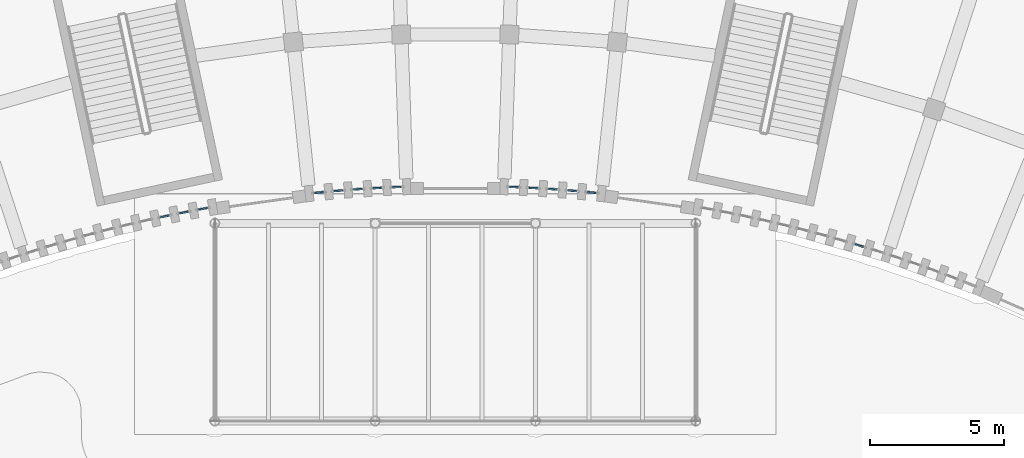
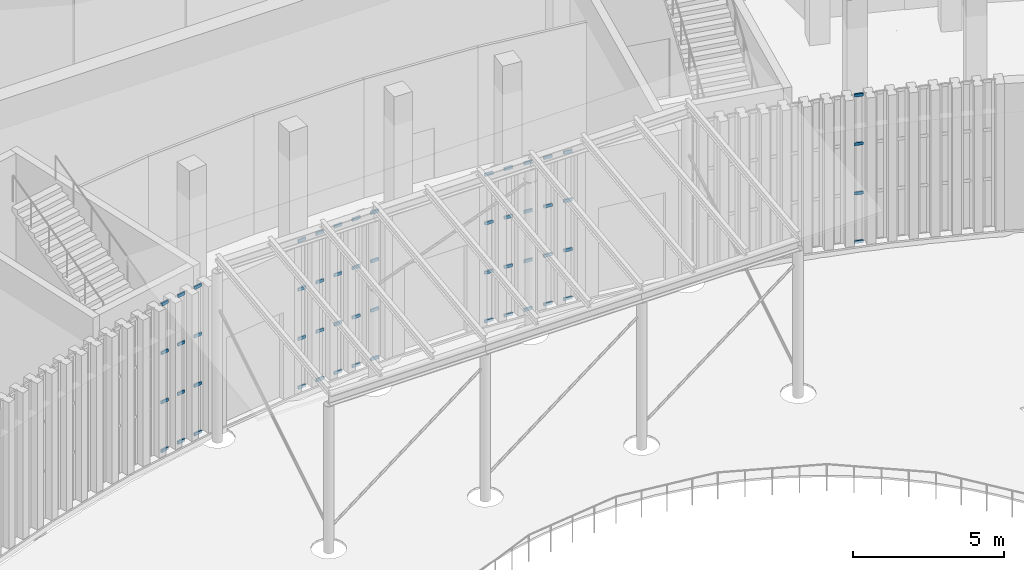
# One storey, part 67 of 155: 56 members, 14 elements without a shape of their own.
"""IFC4 building model written with IfcOpenShell, lengths in metres."""

from ifc_helpers import new_model, si_unit, direction, frame, origin, origin_2d, place, context, subcontext, project, spatial, rectangle, extrude, material, layer, layer_set, material_profile, profile_set, type_object, element, aggregate, save


model = new_model("IFC4")

# Units and contexts
model_context = context("Model", 3, precision=1e-05, world=origin(), true_north=direction((0.0, 1.0)))
body_context = subcontext(model_context, "Body", "Model", "MODEL_VIEW")
ifc_project = project(units=[si_unit("LENGTHUNIT", "METRE"), si_unit("AREAUNIT", "SQUARE_METRE"), si_unit("VOLUMEUNIT", "CUBIC_METRE"), si_unit("PLANEANGLEUNIT", "RADIAN"), si_unit("MASSUNIT", "GRAM", prefix="KILO")], contexts=[model_context])

# Site, building, storey
site_placement = place(None, origin())
site = spatial("IfcSite", under=ifc_project, at=site_placement, CompositionType="ELEMENT")
building_placement = place(site_placement, origin())
building = spatial("IfcBuilding", under=site, at=building_placement, Name="Lunette Opera House", CompositionType="ELEMENT")
storey_placement = place(building_placement, origin())
storey = spatial("IfcBuildingStorey", under=building, at=storey_placement, Name="L00", CompositionType="ELEMENT", Elevation=0.0)

# Curtain wall, members
ifc_material_1 = material(Name="Aluminium", Category="aluminium")
ifc_layer = layer(ifc_material_1, 0.1201171875)
ifc_layer_set = layer_set([ifc_layer], Name="Aluminium")
curtain_wall_type = type_object("IfcCurtainWallType", Name="SLOT CURTAIN WALL", PredefinedType="NOTDEFINED", material=ifc_layer_set)
curtain_wall_1_placement = place(storey_placement, origin())
curtain_wall_1 = element("IfcCurtainWall", 1, at=curtain_wall_1_placement, inside=storey, type_object=curtain_wall_type, Name="Slot Curtain Wall CS033 L00", PredefinedType="NOTDEFINED")
ifc_material_2 = material(Name="Aluminium", Category="aluminium")
ifc_material_profile = material_profile(ifc_material_2, rectangle(XDim=0.06005859375, YDim=0.1201171875, at=origin_2d()), Name="TRANSOM 60 X 120")
ifc_profile_set = profile_set([ifc_material_profile], Name="Aluminium")
member_type = type_object("IfcMemberType", Name="TRANSOM 60 X 120", PredefinedType="USERDEFINED", material=ifc_profile_set)
member_1_placement = place(storey_placement, frame((84.974609375, 51.12451171875, 0.030029296875), z_axis=(0.978533089952, 0.206089766533, 0.0), x_axis=(-0.206089766533, 0.978533089952, 0.0)))
member_1 = element("IfcMember", 2, at=member_1_placement, type_object=member_type, Name="FC-X2065 transom 1.1", ObjectType="TRANSOM", PredefinedType="USERDEFINED", context=body_context, shape_type="SweptSolid", body=[
    extrude(rectangle(XDim=0.06005859375, YDim=0.1201171875, at=origin_2d()), origin(), (0.0, 0.0, 1.0), 0.310302734375),
])
member_2_placement = place(storey_placement, frame((84.974609375, 51.12451171875, 2.0), z_axis=(0.978533089952, 0.206089766533, 0.0), x_axis=(-0.206089766533, 0.978533089952, 0.0)))
member_2 = element("IfcMember", 3, at=member_2_placement, type_object=member_type, Name="FC-X2065 transom 1.2", ObjectType="TRANSOM", PredefinedType="USERDEFINED", context=body_context, shape_type="SweptSolid", body=[
    extrude(rectangle(XDim=0.06005859375, YDim=0.1201171875, at=origin_2d()), origin(), (0.0, 0.0, 1.0), 0.310302734375),
])
member_3_placement = place(storey_placement, frame((84.974609375, 51.12451171875, 4.0), z_axis=(0.978533089952, 0.206089766533, 0.0), x_axis=(-0.206089766533, 0.978533089952, 0.0)))
member_3 = element("IfcMember", 4, at=member_3_placement, type_object=member_type, Name="FC-X2065 transom 1.3", ObjectType="TRANSOM", PredefinedType="USERDEFINED", context=body_context, shape_type="SweptSolid", body=[
    extrude(rectangle(XDim=0.06005859375, YDim=0.1201171875, at=origin_2d()), origin(), (0.0, 0.0, 1.0), 0.310302734375),
])
member_4_placement = place(storey_placement, frame((84.974609375, 51.12451171875, 5.969970703125), z_axis=(0.978533089952, 0.206089766533, 0.0), x_axis=(-0.206089766533, 0.978533089952, 0.0)))
member_4 = element("IfcMember", 5, at=member_4_placement, type_object=member_type, Name="FC-X2065 transom 1.4", ObjectType="TRANSOM", PredefinedType="USERDEFINED", context=body_context, shape_type="SweptSolid", body=[
    extrude(rectangle(XDim=0.06005859375, YDim=0.1201171875, at=origin_2d()), origin(), (0.0, 0.0, 1.0), 0.310302734375),
])
aggregate(curtain_wall_1, [member_1, member_2, member_3, member_4])

curtain_wall_2_placement = place(storey_placement, origin())
curtain_wall_2 = element("IfcCurtainWall", 6, at=curtain_wall_2_placement, inside=storey, type_object=curtain_wall_type, Name="Slot Curtain Wall CS034 L00", PredefinedType="NOTDEFINED")
member_5_placement = place(storey_placement, frame((85.68994140625, 51.273681640625, 0.030029296875), z_axis=(0.981211567536, 0.192934858785, 0.0), x_axis=(-0.192934858785, 0.981211567536, 0.0)))
member_5 = element("IfcMember", 7, at=member_5_placement, type_object=member_type, Name="FC-X2067 transom 1.1", ObjectType="TRANSOM", PredefinedType="USERDEFINED", context=body_context, shape_type="SweptSolid", body=[
    extrude(rectangle(XDim=0.06005859375, YDim=0.1201171875, at=origin_2d()), origin(), (0.0, 0.0, 1.0), 0.31005859375),
])
member_6_placement = place(storey_placement, frame((85.68994140625, 51.273681640625, 2.0), z_axis=(0.981211567536, 0.192934858785, 0.0), x_axis=(-0.192934858785, 0.981211567536, 0.0)))
member_6 = element("IfcMember", 8, at=member_6_placement, type_object=member_type, Name="FC-X2067 transom 1.2", ObjectType="TRANSOM", PredefinedType="USERDEFINED", context=body_context, shape_type="SweptSolid", body=[
    extrude(rectangle(XDim=0.06005859375, YDim=0.1201171875, at=origin_2d()), origin(), (0.0, 0.0, 1.0), 0.31005859375),
])
member_7_placement = place(storey_placement, frame((85.68994140625, 51.273681640625, 4.0), z_axis=(0.981211567536, 0.192934858785, 0.0), x_axis=(-0.192934858785, 0.981211567536, 0.0)))
member_7 = element("IfcMember", 9, at=member_7_placement, type_object=member_type, Name="FC-X2067 transom 1.3", ObjectType="TRANSOM", PredefinedType="USERDEFINED", context=body_context, shape_type="SweptSolid", body=[
    extrude(rectangle(XDim=0.06005859375, YDim=0.1201171875, at=origin_2d()), origin(), (0.0, 0.0, 1.0), 0.31005859375),
])
member_8_placement = place(storey_placement, frame((85.68994140625, 51.273681640625, 5.969970703125), z_axis=(0.981211567536, 0.192934858785, 0.0), x_axis=(-0.192934858785, 0.981211567536, 0.0)))
member_8 = element("IfcMember", 10, at=member_8_placement, type_object=member_type, Name="FC-X2067 transom 1.4", ObjectType="TRANSOM", PredefinedType="USERDEFINED", context=body_context, shape_type="SweptSolid", body=[
    extrude(rectangle(XDim=0.06005859375, YDim=0.1201171875, at=origin_2d()), origin(), (0.0, 0.0, 1.0), 0.31005859375),
])
aggregate(curtain_wall_2, [member_5, member_6, member_7, member_8])

curtain_wall_3_placement = place(storey_placement, origin())
curtain_wall_3 = element("IfcCurtainWall", 11, at=curtain_wall_3_placement, inside=storey, type_object=curtain_wall_type, Name="Slot Curtain Wall CS035 L00", PredefinedType="NOTDEFINED")
member_9_placement = place(storey_placement, frame((86.406005859375, 51.412841796875, 0.030029296875), z_axis=(0.983982796931, 0.178263443658, 0.0), x_axis=(-0.178263443658, 0.983982796931, 0.0)))
member_9 = element("IfcMember", 12, at=member_9_placement, type_object=member_type, Name="FC-X2069 transom 1.1", ObjectType="TRANSOM", PredefinedType="USERDEFINED", context=body_context, shape_type="SweptSolid", body=[
    extrude(rectangle(XDim=0.06005859375, YDim=0.1201171875, at=origin_2d()), origin(), (0.0, 0.0, 1.0), 0.310791015625),
])
member_10_placement = place(storey_placement, frame((86.406005859375, 51.412841796875, 2.0), z_axis=(0.983982796931, 0.178263443658, 0.0), x_axis=(-0.178263443658, 0.983982796931, 0.0)))
member_10 = element("IfcMember", 13, at=member_10_placement, type_object=member_type, Name="FC-X2069 transom 1.2", ObjectType="TRANSOM", PredefinedType="USERDEFINED", context=body_context, shape_type="SweptSolid", body=[
    extrude(rectangle(XDim=0.06005859375, YDim=0.1201171875, at=origin_2d()), origin(), (0.0, 0.0, 1.0), 0.310791015625),
])
member_11_placement = place(storey_placement, frame((86.406005859375, 51.412841796875, 4.0), z_axis=(0.983982796931, 0.178263443658, 0.0), x_axis=(-0.178263443658, 0.983982796931, 0.0)))
member_11 = element("IfcMember", 14, at=member_11_placement, type_object=member_type, Name="FC-X2069 transom 1.3", ObjectType="TRANSOM", PredefinedType="USERDEFINED", context=body_context, shape_type="SweptSolid", body=[
    extrude(rectangle(XDim=0.06005859375, YDim=0.1201171875, at=origin_2d()), origin(), (0.0, 0.0, 1.0), 0.310791015625),
])
member_12_placement = place(storey_placement, frame((86.406005859375, 51.412841796875, 5.969970703125), z_axis=(0.983982796931, 0.178263443658, 0.0), x_axis=(-0.178263443658, 0.983982796931, 0.0)))
member_12 = element("IfcMember", 15, at=member_12_placement, type_object=member_type, Name="FC-X2069 transom 1.4", ObjectType="TRANSOM", PredefinedType="USERDEFINED", context=body_context, shape_type="SweptSolid", body=[
    extrude(rectangle(XDim=0.06005859375, YDim=0.1201171875, at=origin_2d()), origin(), (0.0, 0.0, 1.0), 0.310791015625),
])
aggregate(curtain_wall_3, [member_9, member_10, member_11, member_12])

curtain_wall_4_placement = place(storey_placement, origin())
curtain_wall_4 = element("IfcCurtainWall", 16, at=curtain_wall_4_placement, inside=storey, type_object=curtain_wall_type, Name="Slot Curtain Wall CS036 L00", PredefinedType="NOTDEFINED")
member_13_placement = place(storey_placement, frame((90.74169921875, 52.034912109375, 0.030029296875), z_axis=(0.995252406868, 0.097327522438, 0.0), x_axis=(-0.097327522438, 0.995252406868, 0.0)))
member_13 = element("IfcMember", 17, at=member_13_placement, type_object=member_type, Name="FC-X2071 transom 1.1", ObjectType="TRANSOM", PredefinedType="USERDEFINED", context=body_context, shape_type="SweptSolid", body=[
    extrude(rectangle(XDim=0.06005859375, YDim=0.1201171875, at=origin_2d()), origin(), (0.0, 0.0, 1.0), 0.31103515625),
])
member_14_placement = place(storey_placement, frame((90.74169921875, 52.034912109375, 2.0), z_axis=(0.995252406868, 0.097327522438, 0.0), x_axis=(-0.097327522438, 0.995252406868, 0.0)))
member_14 = element("IfcMember", 18, at=member_14_placement, type_object=member_type, Name="FC-X2071 transom 1.2", ObjectType="TRANSOM", PredefinedType="USERDEFINED", context=body_context, shape_type="SweptSolid", body=[
    extrude(rectangle(XDim=0.06005859375, YDim=0.1201171875, at=origin_2d()), origin(), (0.0, 0.0, 1.0), 0.31103515625),
])
member_15_placement = place(storey_placement, frame((90.74169921875, 52.034912109375, 4.0), z_axis=(0.995252406868, 0.097327522438, 0.0), x_axis=(-0.097327522438, 0.995252406868, 0.0)))
member_15 = element("IfcMember", 19, at=member_15_placement, type_object=member_type, Name="FC-X2071 transom 1.3", ObjectType="TRANSOM", PredefinedType="USERDEFINED", context=body_context, shape_type="SweptSolid", body=[
    extrude(rectangle(XDim=0.06005859375, YDim=0.1201171875, at=origin_2d()), origin(), (0.0, 0.0, 1.0), 0.31103515625),
])
member_16_placement = place(storey_placement, frame((90.74169921875, 52.034912109375, 5.969970703125), z_axis=(0.995252406868, 0.097327522438, 0.0), x_axis=(-0.097327522438, 0.995252406868, 0.0)))
member_16 = element("IfcMember", 20, at=member_16_placement, type_object=member_type, Name="FC-X2071 transom 1.4", ObjectType="TRANSOM", PredefinedType="USERDEFINED", context=body_context, shape_type="SweptSolid", body=[
    extrude(rectangle(XDim=0.06005859375, YDim=0.1201171875, at=origin_2d()), origin(), (0.0, 0.0, 1.0), 0.31103515625),
])
aggregate(curtain_wall_4, [member_13, member_14, member_15, member_16])

curtain_wall_5_placement = place(storey_placement, origin())
curtain_wall_5 = element("IfcCurtainWall", 21, at=curtain_wall_5_placement, inside=storey, type_object=curtain_wall_type, Name="Slot Curtain Wall CS037 L00", PredefinedType="NOTDEFINED")
member_17_placement = place(storey_placement, frame((91.46875, 52.10302734375, 0.030029296875), z_axis=(0.996524044224, 0.083305637766, 0.0), x_axis=(-0.083305637766, 0.996524044224, 0.0)))
member_17 = element("IfcMember", 22, at=member_17_placement, type_object=member_type, Name="FC-X2073 transom 1.1", ObjectType="TRANSOM", PredefinedType="USERDEFINED", context=body_context, shape_type="SweptSolid", body=[
    extrude(rectangle(XDim=0.06005859375, YDim=0.1201171875, at=origin_2d()), origin(), (0.0, 0.0, 1.0), 0.310546875),
])
member_18_placement = place(storey_placement, frame((91.46875, 52.10302734375, 2.0), z_axis=(0.996524044224, 0.083305637766, 0.0), x_axis=(-0.083305637766, 0.996524044224, 0.0)))
member_18 = element("IfcMember", 23, at=member_18_placement, type_object=member_type, Name="FC-X2073 transom 1.2", ObjectType="TRANSOM", PredefinedType="USERDEFINED", context=body_context, shape_type="SweptSolid", body=[
    extrude(rectangle(XDim=0.06005859375, YDim=0.1201171875, at=origin_2d()), origin(), (0.0, 0.0, 1.0), 0.310546875),
])
member_19_placement = place(storey_placement, frame((91.46875, 52.10302734375, 4.0), z_axis=(0.996524044224, 0.083305637766, 0.0), x_axis=(-0.083305637766, 0.996524044224, 0.0)))
member_19 = element("IfcMember", 24, at=member_19_placement, type_object=member_type, Name="FC-X2073 transom 1.3", ObjectType="TRANSOM", PredefinedType="USERDEFINED", context=body_context, shape_type="SweptSolid", body=[
    extrude(rectangle(XDim=0.06005859375, YDim=0.1201171875, at=origin_2d()), origin(), (0.0, 0.0, 1.0), 0.310546875),
])
member_20_placement = place(storey_placement, frame((91.46875, 52.10302734375, 5.969970703125), z_axis=(0.996524044224, 0.083305637766, 0.0), x_axis=(-0.083305637766, 0.996524044224, 0.0)))
member_20 = element("IfcMember", 25, at=member_20_placement, type_object=member_type, Name="FC-X2073 transom 1.4", ObjectType="TRANSOM", PredefinedType="USERDEFINED", context=body_context, shape_type="SweptSolid", body=[
    extrude(rectangle(XDim=0.06005859375, YDim=0.1201171875, at=origin_2d()), origin(), (0.0, 0.0, 1.0), 0.310546875),
])
aggregate(curtain_wall_5, [member_17, member_18, member_19, member_20])

curtain_wall_6_placement = place(storey_placement, origin())
curtain_wall_6 = element("IfcCurtainWall", 26, at=curtain_wall_6_placement, inside=storey, type_object=curtain_wall_type, Name="Slot Curtain Wall CS038 L00", PredefinedType="NOTDEFINED")
member_21_placement = place(storey_placement, frame((92.19677734375, 52.1611328125, 0.030029296875), z_axis=(0.99754193591, 0.070072006548, 0.0), x_axis=(-0.070072006548, 0.99754193591, 0.0)))
member_21 = element("IfcMember", 27, at=member_21_placement, type_object=member_type, Name="FC-X2075 transom 1.1", ObjectType="TRANSOM", PredefinedType="USERDEFINED", context=body_context, shape_type="SweptSolid", body=[
    extrude(rectangle(XDim=0.06005859375, YDim=0.1201171875, at=origin_2d()), origin(), (0.0, 0.0, 1.0), 0.31005859375),
])
member_22_placement = place(storey_placement, frame((92.19677734375, 52.1611328125, 2.0), z_axis=(0.99754193591, 0.070072006548, 0.0), x_axis=(-0.070072006548, 0.99754193591, 0.0)))
member_22 = element("IfcMember", 28, at=member_22_placement, type_object=member_type, Name="FC-X2075 transom 1.2", ObjectType="TRANSOM", PredefinedType="USERDEFINED", context=body_context, shape_type="SweptSolid", body=[
    extrude(rectangle(XDim=0.06005859375, YDim=0.1201171875, at=origin_2d()), origin(), (0.0, 0.0, 1.0), 0.31005859375),
])
member_23_placement = place(storey_placement, frame((92.19677734375, 52.1611328125, 4.0), z_axis=(0.99754193591, 0.070072006548, 0.0), x_axis=(-0.070072006548, 0.99754193591, 0.0)))
member_23 = element("IfcMember", 29, at=member_23_placement, type_object=member_type, Name="FC-X2075 transom 1.3", ObjectType="TRANSOM", PredefinedType="USERDEFINED", context=body_context, shape_type="SweptSolid", body=[
    extrude(rectangle(XDim=0.06005859375, YDim=0.1201171875, at=origin_2d()), origin(), (0.0, 0.0, 1.0), 0.31005859375),
])
member_24_placement = place(storey_placement, frame((92.19677734375, 52.1611328125, 5.969970703125), z_axis=(0.99754193591, 0.070072006548, 0.0), x_axis=(-0.070072006548, 0.99754193591, 0.0)))
member_24 = element("IfcMember", 30, at=member_24_placement, type_object=member_type, Name="FC-X2075 transom 1.4", ObjectType="TRANSOM", PredefinedType="USERDEFINED", context=body_context, shape_type="SweptSolid", body=[
    extrude(rectangle(XDim=0.06005859375, YDim=0.1201171875, at=origin_2d()), origin(), (0.0, 0.0, 1.0), 0.31005859375),
])
aggregate(curtain_wall_6, [member_21, member_22, member_23, member_24])

curtain_wall_7_placement = place(storey_placement, origin())
curtain_wall_7 = element("IfcCurtainWall", 31, at=curtain_wall_7_placement, inside=storey, type_object=curtain_wall_type, Name="Slot Curtain Wall CS039 L00", PredefinedType="NOTDEFINED")
member_25_placement = place(storey_placement, frame((92.926025390625, 52.20947265625, 0.030029296875), z_axis=(0.998474879142, 0.055207931706, 0.0), x_axis=(-0.055207931706, 0.998474879142, 0.0)))
member_25 = element("IfcMember", 32, at=member_25_placement, type_object=member_type, Name="FC-X2077 transom 1.1", ObjectType="TRANSOM", PredefinedType="USERDEFINED", context=body_context, shape_type="SweptSolid", body=[
    extrude(rectangle(XDim=0.06005859375, YDim=0.1201171875, at=origin_2d()), origin(), (0.0, 0.0, 1.0), 0.3095703125),
])
member_26_placement = place(storey_placement, frame((92.926025390625, 52.20947265625, 2.0), z_axis=(0.998474879142, 0.055207931706, 0.0), x_axis=(-0.055207931706, 0.998474879142, 0.0)))
member_26 = element("IfcMember", 33, at=member_26_placement, type_object=member_type, Name="FC-X2077 transom 1.2", ObjectType="TRANSOM", PredefinedType="USERDEFINED", context=body_context, shape_type="SweptSolid", body=[
    extrude(rectangle(XDim=0.06005859375, YDim=0.1201171875, at=origin_2d()), origin(), (0.0, 0.0, 1.0), 0.3095703125),
])
member_27_placement = place(storey_placement, frame((92.926025390625, 52.20947265625, 4.0), z_axis=(0.998474879142, 0.055207931706, 0.0), x_axis=(-0.055207931706, 0.998474879142, 0.0)))
member_27 = element("IfcMember", 34, at=member_27_placement, type_object=member_type, Name="FC-X2077 transom 1.3", ObjectType="TRANSOM", PredefinedType="USERDEFINED", context=body_context, shape_type="SweptSolid", body=[
    extrude(rectangle(XDim=0.06005859375, YDim=0.1201171875, at=origin_2d()), origin(), (0.0, 0.0, 1.0), 0.3095703125),
])
member_28_placement = place(storey_placement, frame((92.926025390625, 52.20947265625, 5.969970703125), z_axis=(0.998474879142, 0.055207931706, 0.0), x_axis=(-0.055207931706, 0.998474879142, 0.0)))
member_28 = element("IfcMember", 35, at=member_28_placement, type_object=member_type, Name="FC-X2077 transom 1.4", ObjectType="TRANSOM", PredefinedType="USERDEFINED", context=body_context, shape_type="SweptSolid", body=[
    extrude(rectangle(XDim=0.06005859375, YDim=0.1201171875, at=origin_2d()), origin(), (0.0, 0.0, 1.0), 0.3095703125),
])
aggregate(curtain_wall_7, [member_25, member_26, member_27, member_28])

curtain_wall_8_placement = place(storey_placement, origin())
curtain_wall_8 = element("IfcCurtainWall", 36, at=curtain_wall_8_placement, inside=storey, type_object=curtain_wall_type, Name="Slot Curtain Wall CS040 L00", PredefinedType="NOTDEFINED")
member_29_placement = place(storey_placement, frame((93.655029296875, 52.24755859375, 0.030029296875), z_axis=(0.999130344028, 0.041695990735, 0.0), x_axis=(-0.041695990735, 0.999130344028, 0.0)))
member_29 = element("IfcMember", 37, at=member_29_placement, type_object=member_type, Name="FC-X2079 transom 1.1", ObjectType="TRANSOM", PredefinedType="USERDEFINED", context=body_context, shape_type="SweptSolid", body=[
    extrude(rectangle(XDim=0.06005859375, YDim=0.1201171875, at=origin_2d()), origin(), (0.0, 0.0, 1.0), 0.310302734375),
])
member_30_placement = place(storey_placement, frame((93.655029296875, 52.24755859375, 2.0), z_axis=(0.999130344028, 0.041695990735, 0.0), x_axis=(-0.041695990735, 0.999130344028, 0.0)))
member_30 = element("IfcMember", 38, at=member_30_placement, type_object=member_type, Name="FC-X2079 transom 1.2", ObjectType="TRANSOM", PredefinedType="USERDEFINED", context=body_context, shape_type="SweptSolid", body=[
    extrude(rectangle(XDim=0.06005859375, YDim=0.1201171875, at=origin_2d()), origin(), (0.0, 0.0, 1.0), 0.310302734375),
])
member_31_placement = place(storey_placement, frame((93.655029296875, 52.24755859375, 4.0), z_axis=(0.999130344028, 0.041695990735, 0.0), x_axis=(-0.041695990735, 0.999130344028, 0.0)))
member_31 = element("IfcMember", 39, at=member_31_placement, type_object=member_type, Name="FC-X2079 transom 1.3", ObjectType="TRANSOM", PredefinedType="USERDEFINED", context=body_context, shape_type="SweptSolid", body=[
    extrude(rectangle(XDim=0.06005859375, YDim=0.1201171875, at=origin_2d()), origin(), (0.0, 0.0, 1.0), 0.310302734375),
])
member_32_placement = place(storey_placement, frame((93.655029296875, 52.24755859375, 5.969970703125), z_axis=(0.999130344028, 0.041695990735, 0.0), x_axis=(-0.041695990735, 0.999130344028, 0.0)))
member_32 = element("IfcMember", 40, at=member_32_placement, type_object=member_type, Name="FC-X2079 transom 1.4", ObjectType="TRANSOM", PredefinedType="USERDEFINED", context=body_context, shape_type="SweptSolid", body=[
    extrude(rectangle(XDim=0.06005859375, YDim=0.1201171875, at=origin_2d()), origin(), (0.0, 0.0, 1.0), 0.310302734375),
])
aggregate(curtain_wall_8, [member_29, member_30, member_31, member_32])

curtain_wall_9_placement = place(storey_placement, origin())
curtain_wall_9 = element("IfcCurtainWall", 41, at=curtain_wall_9_placement, inside=storey, type_object=curtain_wall_type, Name="Slot Curtain Wall CS041 L00", PredefinedType="NOTDEFINED")
member_33_placement = place(storey_placement, frame((98.034912109375, 52.260498046875, 0.030029296875), z_axis=(0.999130344028, -0.041695990735, 0.0), x_axis=(0.041695990735, 0.999130344028, 0.0)))
member_33 = element("IfcMember", 42, at=member_33_placement, type_object=member_type, Name="FC-X2081 transom 1.1", ObjectType="TRANSOM", PredefinedType="USERDEFINED", context=body_context, shape_type="SweptSolid", body=[
    extrude(rectangle(XDim=0.06005859375, YDim=0.1201171875, at=origin_2d()), origin(), (0.0, 0.0, 1.0), 0.310302734375),
])
member_34_placement = place(storey_placement, frame((98.034912109375, 52.260498046875, 2.0), z_axis=(0.999130344028, -0.041695990735, 0.0), x_axis=(0.041695990735, 0.999130344028, 0.0)))
member_34 = element("IfcMember", 43, at=member_34_placement, type_object=member_type, Name="FC-X2081 transom 1.2", ObjectType="TRANSOM", PredefinedType="USERDEFINED", context=body_context, shape_type="SweptSolid", body=[
    extrude(rectangle(XDim=0.06005859375, YDim=0.1201171875, at=origin_2d()), origin(), (0.0, 0.0, 1.0), 0.310302734375),
])
member_35_placement = place(storey_placement, frame((98.034912109375, 52.260498046875, 4.0), z_axis=(0.999130344028, -0.041695990735, 0.0), x_axis=(0.041695990735, 0.999130344028, 0.0)))
member_35 = element("IfcMember", 44, at=member_35_placement, type_object=member_type, Name="FC-X2081 transom 1.3", ObjectType="TRANSOM", PredefinedType="USERDEFINED", context=body_context, shape_type="SweptSolid", body=[
    extrude(rectangle(XDim=0.06005859375, YDim=0.1201171875, at=origin_2d()), origin(), (0.0, 0.0, 1.0), 0.310302734375),
])
member_36_placement = place(storey_placement, frame((98.034912109375, 52.260498046875, 5.969970703125), z_axis=(0.999130344028, -0.041695990735, 0.0), x_axis=(0.041695990735, 0.999130344028, 0.0)))
member_36 = element("IfcMember", 45, at=member_36_placement, type_object=member_type, Name="FC-X2081 transom 1.4", ObjectType="TRANSOM", PredefinedType="USERDEFINED", context=body_context, shape_type="SweptSolid", body=[
    extrude(rectangle(XDim=0.06005859375, YDim=0.1201171875, at=origin_2d()), origin(), (0.0, 0.0, 1.0), 0.310302734375),
])
aggregate(curtain_wall_9, [member_33, member_34, member_35, member_36])

curtain_wall_10_placement = place(storey_placement, origin())
curtain_wall_10 = element("IfcCurtainWall", 46, at=curtain_wall_10_placement, inside=storey, type_object=curtain_wall_type, Name="Slot Curtain Wall CS042 L00", PredefinedType="NOTDEFINED")
member_37_placement = place(storey_placement, frame((98.764892578125, 52.2265625, 0.030029296875), z_axis=(0.998474879142, -0.055207931706, 0.0), x_axis=(0.055207931706, 0.998474879142, 0.0)))
member_37 = element("IfcMember", 47, at=member_37_placement, type_object=member_type, Name="FC-X2083 transom 1.1", ObjectType="TRANSOM", PredefinedType="USERDEFINED", context=body_context, shape_type="SweptSolid", body=[
    extrude(rectangle(XDim=0.06005859375, YDim=0.1201171875, at=origin_2d()), origin(), (0.0, 0.0, 1.0), 0.3095703125),
])
member_38_placement = place(storey_placement, frame((98.764892578125, 52.2265625, 2.0), z_axis=(0.998474879142, -0.055207931706, 0.0), x_axis=(0.055207931706, 0.998474879142, 0.0)))
member_38 = element("IfcMember", 48, at=member_38_placement, type_object=member_type, Name="FC-X2083 transom 1.2", ObjectType="TRANSOM", PredefinedType="USERDEFINED", context=body_context, shape_type="SweptSolid", body=[
    extrude(rectangle(XDim=0.06005859375, YDim=0.1201171875, at=origin_2d()), origin(), (0.0, 0.0, 1.0), 0.3095703125),
])
member_39_placement = place(storey_placement, frame((98.764892578125, 52.2265625, 4.0), z_axis=(0.998474879142, -0.055207931706, 0.0), x_axis=(0.055207931706, 0.998474879142, 0.0)))
member_39 = element("IfcMember", 49, at=member_39_placement, type_object=member_type, Name="FC-X2083 transom 1.3", ObjectType="TRANSOM", PredefinedType="USERDEFINED", context=body_context, shape_type="SweptSolid", body=[
    extrude(rectangle(XDim=0.06005859375, YDim=0.1201171875, at=origin_2d()), origin(), (0.0, 0.0, 1.0), 0.3095703125),
])
member_40_placement = place(storey_placement, frame((98.764892578125, 52.2265625, 5.969970703125), z_axis=(0.998474879142, -0.055207931706, 0.0), x_axis=(0.055207931706, 0.998474879142, 0.0)))
member_40 = element("IfcMember", 50, at=member_40_placement, type_object=member_type, Name="FC-X2083 transom 1.4", ObjectType="TRANSOM", PredefinedType="USERDEFINED", context=body_context, shape_type="SweptSolid", body=[
    extrude(rectangle(XDim=0.06005859375, YDim=0.1201171875, at=origin_2d()), origin(), (0.0, 0.0, 1.0), 0.3095703125),
])
aggregate(curtain_wall_10, [member_37, member_38, member_39, member_40])

curtain_wall_11_placement = place(storey_placement, origin())
curtain_wall_11 = element("IfcCurtainWall", 51, at=curtain_wall_11_placement, inside=storey, type_object=curtain_wall_type, Name="Slot Curtain Wall CS043 L00", PredefinedType="NOTDEFINED")
member_41_placement = place(storey_placement, frame((99.493896484375, 52.182861328125, 0.030029296875), z_axis=(0.99754193591, -0.070072006548, 0.0), x_axis=(0.070072006548, 0.99754193591, 0.0)))
member_41 = element("IfcMember", 52, at=member_41_placement, type_object=member_type, Name="FC-X2085 transom 1.1", ObjectType="TRANSOM", PredefinedType="USERDEFINED", context=body_context, shape_type="SweptSolid", body=[
    extrude(rectangle(XDim=0.06005859375, YDim=0.1201171875, at=origin_2d()), origin(), (0.0, 0.0, 1.0), 0.31005859375),
])
member_42_placement = place(storey_placement, frame((99.493896484375, 52.182861328125, 2.0), z_axis=(0.99754193591, -0.070072006548, 0.0), x_axis=(0.070072006548, 0.99754193591, 0.0)))
member_42 = element("IfcMember", 53, at=member_42_placement, type_object=member_type, Name="FC-X2085 transom 1.2", ObjectType="TRANSOM", PredefinedType="USERDEFINED", context=body_context, shape_type="SweptSolid", body=[
    extrude(rectangle(XDim=0.06005859375, YDim=0.1201171875, at=origin_2d()), origin(), (0.0, 0.0, 1.0), 0.31005859375),
])
member_43_placement = place(storey_placement, frame((99.493896484375, 52.182861328125, 4.0), z_axis=(0.99754193591, -0.070072006548, 0.0), x_axis=(0.070072006548, 0.99754193591, 0.0)))
member_43 = element("IfcMember", 54, at=member_43_placement, type_object=member_type, Name="FC-X2085 transom 1.3", ObjectType="TRANSOM", PredefinedType="USERDEFINED", context=body_context, shape_type="SweptSolid", body=[
    extrude(rectangle(XDim=0.06005859375, YDim=0.1201171875, at=origin_2d()), origin(), (0.0, 0.0, 1.0), 0.31005859375),
])
member_44_placement = place(storey_placement, frame((99.493896484375, 52.182861328125, 5.969970703125), z_axis=(0.99754193591, -0.070072006548, 0.0), x_axis=(0.070072006548, 0.99754193591, 0.0)))
member_44 = element("IfcMember", 55, at=member_44_placement, type_object=member_type, Name="FC-X2085 transom 1.4", ObjectType="TRANSOM", PredefinedType="USERDEFINED", context=body_context, shape_type="SweptSolid", body=[
    extrude(rectangle(XDim=0.06005859375, YDim=0.1201171875, at=origin_2d()), origin(), (0.0, 0.0, 1.0), 0.31005859375),
])
aggregate(curtain_wall_11, [member_41, member_42, member_43, member_44])

curtain_wall_12_placement = place(storey_placement, origin())
curtain_wall_12 = element("IfcCurtainWall", 56, at=curtain_wall_12_placement, inside=storey, type_object=curtain_wall_type, Name="Slot Curtain Wall CS044 L00", PredefinedType="NOTDEFINED")
member_45_placement = place(storey_placement, frame((100.2216796875, 52.12890625, 0.030029296875), z_axis=(0.996524044224, -0.083305637766, 0.0), x_axis=(0.083305637766, 0.996524044224, 0.0)))
member_45 = element("IfcMember", 57, at=member_45_placement, type_object=member_type, Name="FC-X2087 transom 1.1", ObjectType="TRANSOM", PredefinedType="USERDEFINED", context=body_context, shape_type="SweptSolid", body=[
    extrude(rectangle(XDim=0.06005859375, YDim=0.1201171875, at=origin_2d()), origin(), (0.0, 0.0, 1.0), 0.310546875),
])
member_46_placement = place(storey_placement, frame((100.2216796875, 52.12890625, 2.0), z_axis=(0.996524044224, -0.083305637766, 0.0), x_axis=(0.083305637766, 0.996524044224, 0.0)))
member_46 = element("IfcMember", 58, at=member_46_placement, type_object=member_type, Name="FC-X2087 transom 1.2", ObjectType="TRANSOM", PredefinedType="USERDEFINED", context=body_context, shape_type="SweptSolid", body=[
    extrude(rectangle(XDim=0.06005859375, YDim=0.1201171875, at=origin_2d()), origin(), (0.0, 0.0, 1.0), 0.310546875),
])
member_47_placement = place(storey_placement, frame((100.2216796875, 52.12890625, 4.0), z_axis=(0.996524044224, -0.083305637766, 0.0), x_axis=(0.083305637766, 0.996524044224, 0.0)))
member_47 = element("IfcMember", 59, at=member_47_placement, type_object=member_type, Name="FC-X2087 transom 1.3", ObjectType="TRANSOM", PredefinedType="USERDEFINED", context=body_context, shape_type="SweptSolid", body=[
    extrude(rectangle(XDim=0.06005859375, YDim=0.1201171875, at=origin_2d()), origin(), (0.0, 0.0, 1.0), 0.310546875),
])
member_48_placement = place(storey_placement, frame((100.2216796875, 52.12890625, 5.969970703125), z_axis=(0.996524044224, -0.083305637766, 0.0), x_axis=(0.083305637766, 0.996524044224, 0.0)))
member_48 = element("IfcMember", 60, at=member_48_placement, type_object=member_type, Name="FC-X2087 transom 1.4", ObjectType="TRANSOM", PredefinedType="USERDEFINED", context=body_context, shape_type="SweptSolid", body=[
    extrude(rectangle(XDim=0.06005859375, YDim=0.1201171875, at=origin_2d()), origin(), (0.0, 0.0, 1.0), 0.310546875),
])
aggregate(curtain_wall_12, [member_45, member_46, member_47, member_48])

curtain_wall_13_placement = place(storey_placement, origin())
curtain_wall_13 = element("IfcCurtainWall", 61, at=curtain_wall_13_placement, inside=storey, type_object=curtain_wall_type, Name="Slot Curtain Wall CS045 L00", PredefinedType="NOTDEFINED")
member_49_placement = place(storey_placement, frame((100.94873046875, 52.065185546875, 0.030029296875), z_axis=(0.995252406868, -0.097327522438, 0.0), x_axis=(0.097327522438, 0.995252406868, 0.0)))
member_49 = element("IfcMember", 62, at=member_49_placement, type_object=member_type, Name="FC-X2089 transom 1.1", ObjectType="TRANSOM", PredefinedType="USERDEFINED", context=body_context, shape_type="SweptSolid", body=[
    extrude(rectangle(XDim=0.06005859375, YDim=0.1201171875, at=origin_2d()), origin(), (0.0, 0.0, 1.0), 0.31103515625),
])
member_50_placement = place(storey_placement, frame((100.94873046875, 52.065185546875, 2.0), z_axis=(0.995252406868, -0.097327522438, 0.0), x_axis=(0.097327522438, 0.995252406868, 0.0)))
member_50 = element("IfcMember", 63, at=member_50_placement, type_object=member_type, Name="FC-X2089 transom 1.2", ObjectType="TRANSOM", PredefinedType="USERDEFINED", context=body_context, shape_type="SweptSolid", body=[
    extrude(rectangle(XDim=0.06005859375, YDim=0.1201171875, at=origin_2d()), origin(), (0.0, 0.0, 1.0), 0.31103515625),
])
member_51_placement = place(storey_placement, frame((100.94873046875, 52.065185546875, 4.0), z_axis=(0.995252406868, -0.097327522438, 0.0), x_axis=(0.097327522438, 0.995252406868, 0.0)))
member_51 = element("IfcMember", 64, at=member_51_placement, type_object=member_type, Name="FC-X2089 transom 1.3", ObjectType="TRANSOM", PredefinedType="USERDEFINED", context=body_context, shape_type="SweptSolid", body=[
    extrude(rectangle(XDim=0.06005859375, YDim=0.1201171875, at=origin_2d()), origin(), (0.0, 0.0, 1.0), 0.31103515625),
])
member_52_placement = place(storey_placement, frame((100.94873046875, 52.065185546875, 5.969970703125), z_axis=(0.995252406868, -0.097327522438, 0.0), x_axis=(0.097327522438, 0.995252406868, 0.0)))
member_52 = element("IfcMember", 65, at=member_52_placement, type_object=member_type, Name="FC-X2089 transom 1.4", ObjectType="TRANSOM", PredefinedType="USERDEFINED", context=body_context, shape_type="SweptSolid", body=[
    extrude(rectangle(XDim=0.06005859375, YDim=0.1201171875, at=origin_2d()), origin(), (0.0, 0.0, 1.0), 0.31103515625),
])
aggregate(curtain_wall_13, [member_49, member_50, member_51, member_52])

curtain_wall_14_placement = place(storey_placement, origin())
curtain_wall_14 = element("IfcCurtainWall", 66, at=curtain_wall_14_placement, inside=storey, type_object=curtain_wall_type, Name="Slot Curtain Wall CS054 L00", PredefinedType="NOTDEFINED")
member_53_placement = place(storey_placement, frame((110.967529296875, 50.112548828125, 0.030029296875), z_axis=(0.956978097931, -0.290160162807, 0.0), x_axis=(0.290160162807, 0.956978097931, 0.0)))
member_53 = element("IfcMember", 67, at=member_53_placement, type_object=member_type, Name="FC-X2107 transom 1.1", ObjectType="TRANSOM", PredefinedType="USERDEFINED", context=body_context, shape_type="SweptSolid", body=[
    extrude(rectangle(XDim=0.06005859375, YDim=0.1201171875, at=origin_2d()), origin(), (0.0, 0.0, 1.0), 0.310546875),
])
member_54_placement = place(storey_placement, frame((110.967529296875, 50.112548828125, 2.0), z_axis=(0.956978097931, -0.290160162807, 0.0), x_axis=(0.290160162807, 0.956978097931, 0.0)))
member_54 = element("IfcMember", 68, at=member_54_placement, type_object=member_type, Name="FC-X2107 transom 1.2", ObjectType="TRANSOM", PredefinedType="USERDEFINED", context=body_context, shape_type="SweptSolid", body=[
    extrude(rectangle(XDim=0.06005859375, YDim=0.1201171875, at=origin_2d()), origin(), (0.0, 0.0, 1.0), 0.310546875),
])
member_55_placement = place(storey_placement, frame((110.967529296875, 50.112548828125, 4.0), z_axis=(0.956978097931, -0.290160162807, 0.0), x_axis=(0.290160162807, 0.956978097931, 0.0)))
member_55 = element("IfcMember", 69, at=member_55_placement, type_object=member_type, Name="FC-X2107 transom 1.3", ObjectType="TRANSOM", PredefinedType="USERDEFINED", context=body_context, shape_type="SweptSolid", body=[
    extrude(rectangle(XDim=0.06005859375, YDim=0.1201171875, at=origin_2d()), origin(), (0.0, 0.0, 1.0), 0.310546875),
])
member_56_placement = place(storey_placement, frame((110.967529296875, 50.112548828125, 5.969970703125), z_axis=(0.956978097931, -0.290160162807, 0.0), x_axis=(0.290160162807, 0.956978097931, 0.0)))
member_56 = element("IfcMember", 70, at=member_56_placement, type_object=member_type, Name="FC-X2107 transom 1.4", ObjectType="TRANSOM", PredefinedType="USERDEFINED", context=body_context, shape_type="SweptSolid", body=[
    extrude(rectangle(XDim=0.06005859375, YDim=0.1201171875, at=origin_2d()), origin(), (0.0, 0.0, 1.0), 0.310546875),
])
aggregate(curtain_wall_14, [member_53, member_54, member_55, member_56])

save(model, "model.ifc")
